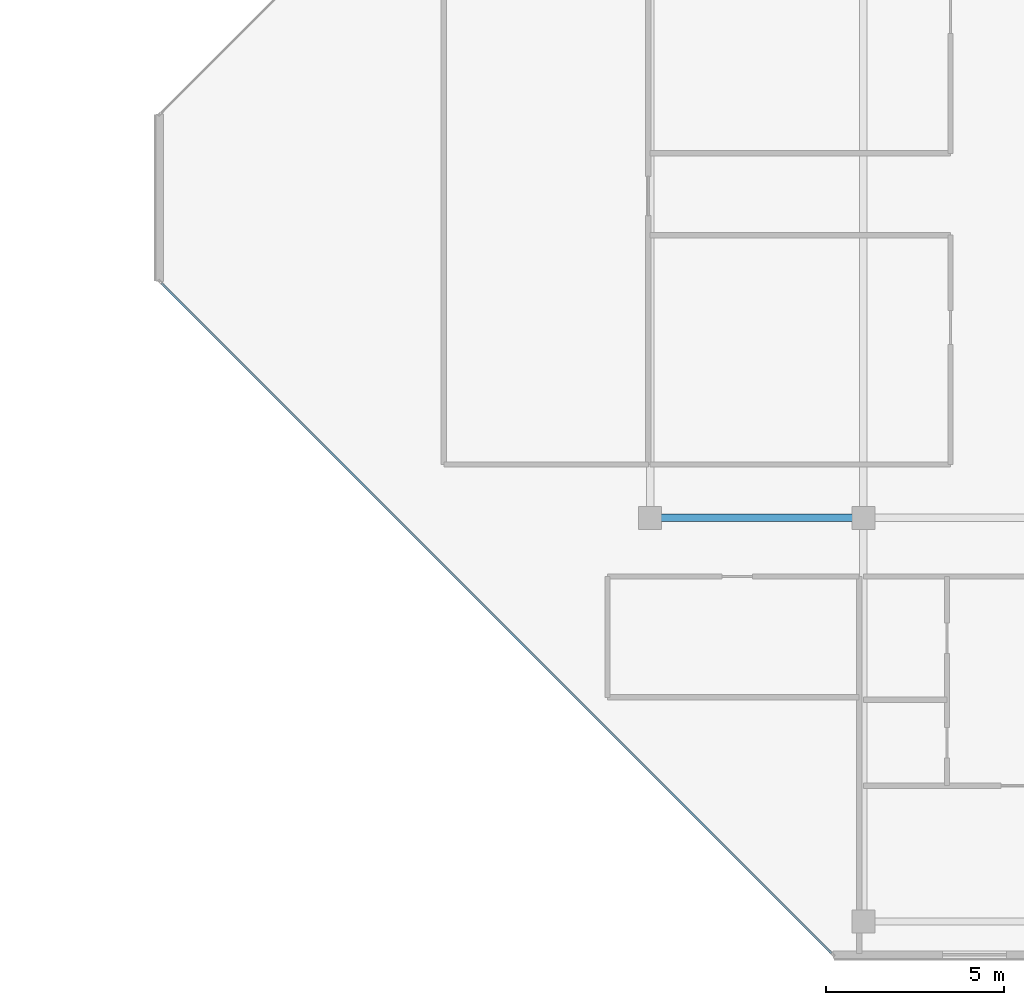
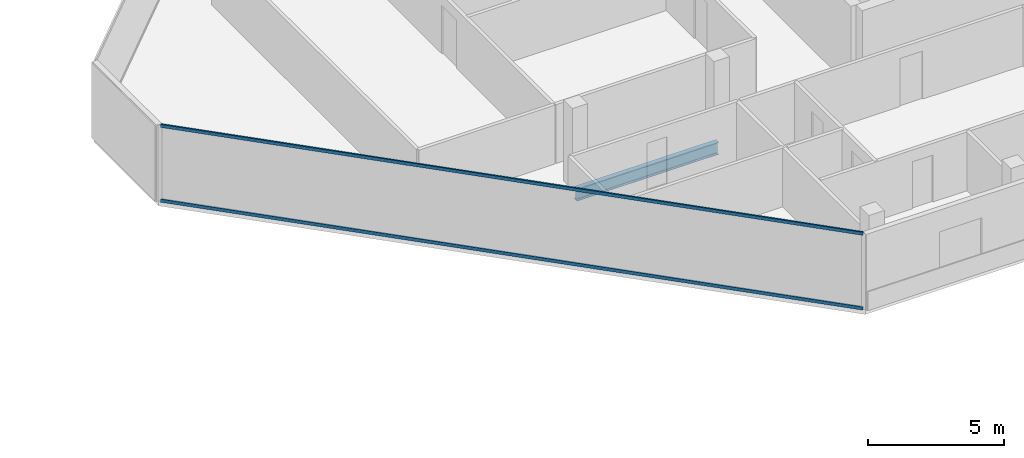
# One storey, part 9 of 28: 2 members, 1 beam, 1 element without a shape of its own.
"""IFC4 building model written with IfcOpenShell, lengths in metres."""

from ifc_helpers import new_model, si_unit, direction, frame, origin, origin_2d, place, context, subcontext, project, spatial, hollow_rectangle, i_section, extrude, material, layer, layer_set, material_profile, profile_set, type_object, element, aggregate, save


model = new_model("IFC4")

# Units and contexts
model_context = context("Model", 3, precision=1e-05, world=origin(), true_north=direction((0.0, 1.0)))
body_context = subcontext(model_context, "Body", "Model", "MODEL_VIEW")
ifc_project = project(units=[si_unit("LENGTHUNIT", "METRE"), si_unit("AREAUNIT", "SQUARE_METRE"), si_unit("VOLUMEUNIT", "CUBIC_METRE"), si_unit("PLANEANGLEUNIT", "RADIAN"), si_unit("MASSUNIT", "GRAM", prefix="KILO")], contexts=[model_context])

# Site, building, storey
site_placement = place(None, origin())
site = spatial("IfcSite", under=ifc_project, at=site_placement, CompositionType="ELEMENT")
building_placement = place(site_placement, origin())
building = spatial("IfcBuilding", under=site, at=building_placement, Name="Tanjung Sevakor Pilgrim Tower", CompositionType="ELEMENT")
storey_placement = place(building_placement, frame((0.0, 0.0, 246.179931640625)))
storey = spatial("IfcBuildingStorey", under=building, at=storey_placement, Name="L69", CompositionType="ELEMENT", Elevation=246.179931640625)

# Beam
ifc_material_1 = material(Name="Steel S355J2", Category="steel")
ifc_material_profile_1 = material_profile(ifc_material_1, i_section(OverallWidth=0.2119140625, OverallDepth=0.54443359375, WebThickness=0.0126953125, FlangeThickness=0.021240234375, FilletRadius=0.0126953125, at=origin_2d()))
ifc_profile_set_1 = profile_set([ifc_material_profile_1], Name="Steel S355J2")
beam_type = type_object("IfcBeamType", Name="BM-B-G5-UB_533x210x122", PredefinedType="BEAM", material=ifc_profile_set_1)
beam_placement = place(storey_placement, frame((66.0, 24.60009765625, -0.4921875), z_axis=(1.0, 0.0, 0.0), x_axis=(0.0, 1.0, 0.0)))
element("IfcBeam", 1, at=beam_placement, inside=storey, type_object=beam_type, Name="L69 Primary Floor Girder EAST Y246-01", PredefinedType="BEAM", context=body_context, shape_type="SweptSolid", body=[
    extrude(i_section(OverallWidth=0.2119140625, OverallDepth=0.54443359375, WebThickness=0.0126953125, FlangeThickness=0.021240234375, FilletRadius=0.0126953125, at=origin_2d()), origin(), (0.0, 0.0, 1.0), 6.0),
])

# Curtain wall, members
ifc_material_2 = material(Name="Aluminium 6063-T6 and Low-E Glass", Category="aluminium")
ifc_layer = layer(ifc_material_2, 0.179931640625)
ifc_layer_set = layer_set([ifc_layer], Name="CW-SYS-CHAM")
curtain_wall_type = type_object("IfcCurtainWallType", Name="CW-SYS-CHAM", PredefinedType="NOTDEFINED", material=ifc_layer_set)
curtain_wall_placement = place(storey_placement, origin())
curtain_wall = element("IfcCurtainWall", 2, at=curtain_wall_placement, inside=storey, type_object=curtain_wall_type, Name="L69 Curtain Wall CW-CHM-L69-EAST-7", PredefinedType="NOTDEFINED")
ifc_material_3 = material(Name="Aluminium 6063-T6", Category="aluminium")
ifc_material_profile_2 = material_profile(ifc_material_3, hollow_rectangle(XDim=0.06494140625, YDim=0.139892578125, WallThickness=0.00390625, at=origin_2d()))
ifc_profile_set_2 = profile_set([ifc_material_profile_2], Name="Aluminium 6063-T6")
member_type = type_object("IfcMemberType", Name="TYPE-CWT-1", PredefinedType="USERDEFINED", material=ifc_profile_set_2)
member_1_placement = place(storey_placement, frame((52.255859375, 31.19970703125, 0.032470703125), z_axis=(0.707106781187, -0.707106781187, 0.0), x_axis=(0.707106781187, 0.707106781187, 0.0)))
member_1 = element("IfcMember", 3, at=member_1_placement, type_object=member_type, Name="CW-CHM transom 1.1", ObjectType="TRANSOM", PredefinedType="USERDEFINED", context=body_context, shape_type="SweptSolid", body=[
    extrude(hollow_rectangle(XDim=0.06494140625, YDim=0.139892578125, WallThickness=0.00390625, at=origin_2d()), origin(), (0.0, 0.0, 1.0), 26.649169921875),
])
member_2_placement = place(storey_placement, frame((52.255859375, 31.19970703125, 3.377685546875), z_axis=(0.707106781187, -0.707106781187, 0.0), x_axis=(0.707106781187, 0.707106781187, 0.0)))
member_2 = element("IfcMember", 4, at=member_2_placement, type_object=member_type, Name="CW-CHM transom 1.2", ObjectType="TRANSOM", PredefinedType="USERDEFINED", context=body_context, shape_type="SweptSolid", body=[
    extrude(hollow_rectangle(XDim=0.06494140625, YDim=0.139892578125, WallThickness=0.00390625, at=origin_2d()), origin(), (0.0, 0.0, 1.0), 26.649169921875),
])
aggregate(curtain_wall, [member_1, member_2])

save(model, "model.ifc")
